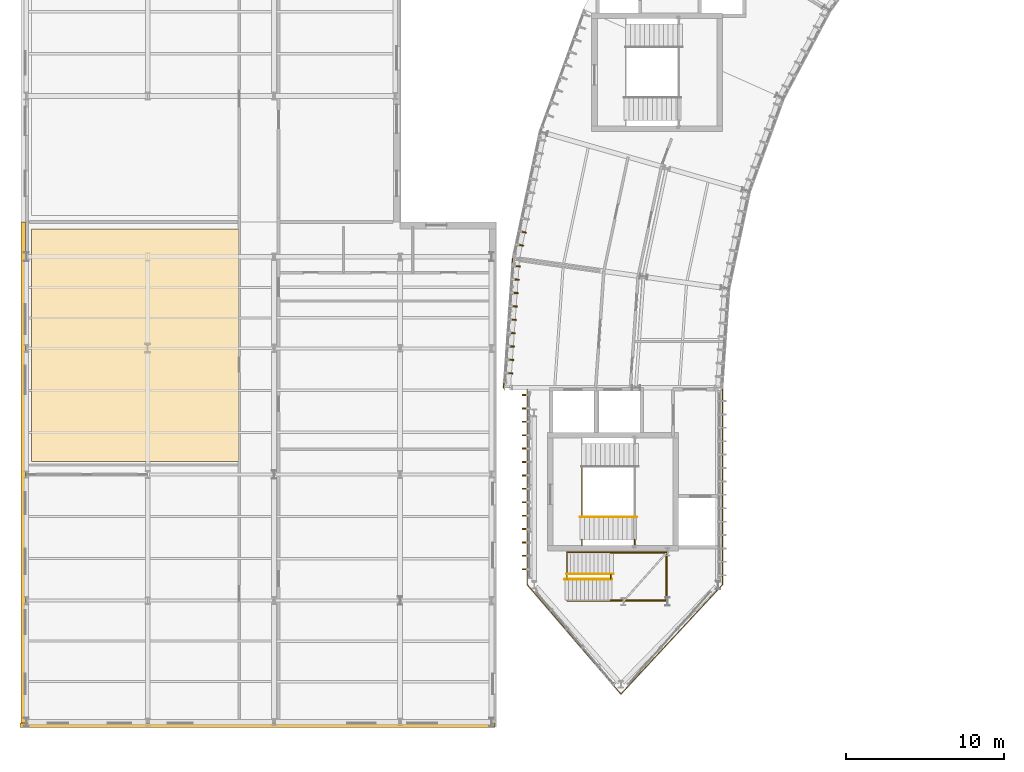
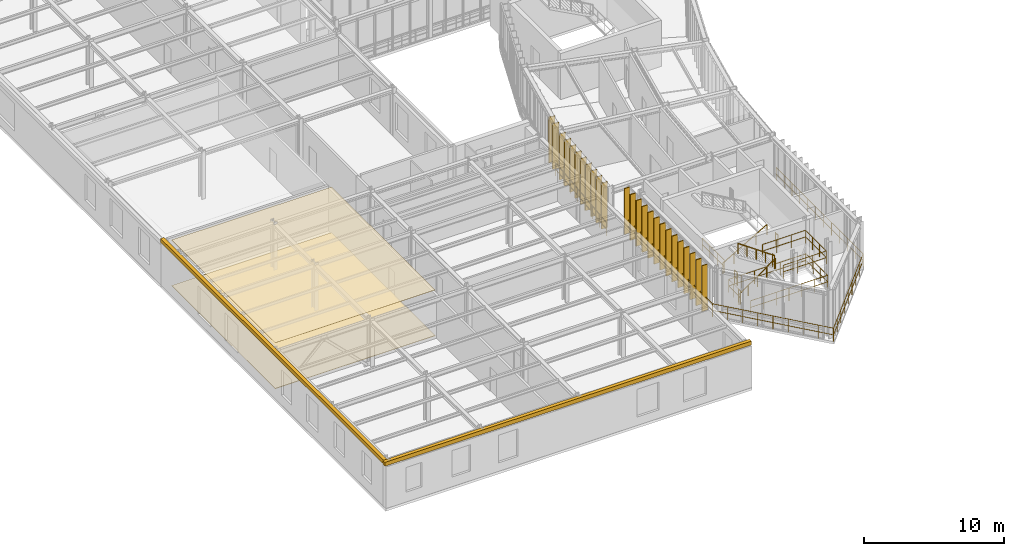
# One storey, part 49 of 57: 29 coverings, 13 railings.
"""IFC4 building model written with IfcOpenShell, lengths in metres."""

from ifc_helpers import new_model, si_unit, direction, frame, origin, origin_2d, place, context, subcontext, project, spatial, polyline, rectangle, circle, outline, extrude, material, layer, layer_set, type_object, element, save


model = new_model("IFC4")

# Units and contexts
model_context = context("Model", 3, precision=1e-05, world=origin(), true_north=direction((0.0, 1.0)))
body_context = subcontext(model_context, "Body", "Model", "MODEL_VIEW")
ifc_project = project(units=[si_unit("LENGTHUNIT", "METRE"), si_unit("AREAUNIT", "SQUARE_METRE"), si_unit("VOLUMEUNIT", "CUBIC_METRE"), si_unit("PLANEANGLEUNIT", "RADIAN"), si_unit("MASSUNIT", "GRAM", prefix="KILO"), si_unit("THERMODYNAMICTEMPERATUREUNIT", "KELVIN"), si_unit("POWERUNIT", "WATT")], contexts=[model_context])

# Site, building, storey
site_placement = place(None, origin())
site = spatial("IfcSite", under=ifc_project, at=site_placement, CompositionType="ELEMENT")
building_placement = place(site_placement, origin())
building = spatial("IfcBuilding", under=site, at=building_placement, Name="Solvatero Civic Police Headquarters", CompositionType="ELEMENT")
storey_placement = place(building_placement, frame((0.0, 0.0, 9.300048828125)))
storey = spatial("IfcBuildingStorey", under=building, at=storey_placement, Name="L02", CompositionType="ELEMENT", Elevation=9.300048828125)

# Coverings
ifc_material_1 = material(Name="Mineral-Fibre Acoustic Tile", Category="gypsum")
ifc_layer_1 = layer(ifc_material_1, 0.02490234375)
ifc_layer_set_1 = layer_set([ifc_layer_1], Name="Mineral-Fibre Acoustic Tile")
covering_type_1 = type_object("IfcCoveringType", Name="COV-CEIL-AC", PredefinedType="CEILING", material=ifc_layer_set_1)
covering_1_placement = place(storey_placement, frame((0.0, 0.0, 3.974853515625)))
element("IfcCovering", 1, at=covering_1_placement, inside=storey, type_object=covering_type_1, Name="Acoustic Ceiling Family and Domestic Protection Unit", PredefinedType="CEILING", context=body_context, shape_type="SweptSolid", body=[
    extrude(outline(polyline([(5.1201171875, 21.320068359375), (5.1201171875, 36.080078125), (18.280029296875, 36.080078125), (18.280029296875, 21.320068359375), (5.1201171875, 21.320068359375)])), origin(), (0.0, 0.0, 1.0), 0.025146484375),
])
ifc_material_2 = material(Name="Anodized Bronze Aluminium", Category="aluminium")
ifc_layer_2 = layer(ifc_material_2, 0.080078125)
ifc_layer_set_2 = layer_set([ifc_layer_2], Name="Anodized Bronze Aluminium")
covering_type_2 = type_object("IfcCoveringType", Name="COV-FIN-480", PredefinedType="CLADDING", material=ifc_layer_set_2)
for number, where, z_axis, x_axis, name in (
    (2, (36.266357421875, 35.881591796875, -0.02001953125), (0.0, 0.0, 1.0), (-0.207911690818, -0.978147600734, 0.0), "Vertical Brise-Soleil Fin 0514"),
    (3, (36.089599609375, 35.05029296875, -0.02001953125), (0.0, 0.0, 1.0), (-0.207911690818, -0.978147600734, 0.0), "Vertical Brise-Soleil Fin 0515"),
    (4, (35.869384765625, 33.708984375, -0.02001953125), (0.0, 0.0, 1.0), (-0.069756473744, -0.99756405026, 0.0), "Vertical Brise-Soleil Fin 0523"),
    (5, (35.810302734375, 32.861083984375, -0.02001953125), (0.0, 0.0, 1.0), (-0.069756473744, -0.99756405026, 0.0), "Vertical Brise-Soleil Fin 0524"),
    (6, (35.7509765625, 32.01318359375, -0.02001953125), (0.0, 0.0, 1.0), (-0.069756473744, -0.99756405026, 0.0), "Vertical Brise-Soleil Fin 0525"),
    (7, (35.691650390625, 31.165283203125, -0.02001953125), (0.0, 0.0, 1.0), (-0.069756473744, -0.99756405026, 0.0), "Vertical Brise-Soleil Fin 0526"),
    (8, (35.63232421875, 30.3173828125, -0.02001953125), (0.0, 0.0, 1.0), (-0.069756473744, -0.99756405026, 0.0), "Vertical Brise-Soleil Fin 0527"),
    (9, (35.572998046875, 29.469482421875, -0.02001953125), (0.0, 0.0, 1.0), (-0.069756473744, -0.99756405026, 0.0), "Vertical Brise-Soleil Fin 0528"),
    (10, (35.513916015625, 28.62158203125, -0.02001953125), (0.0, 0.0, 1.0), (-0.069756473744, -0.99756405026, 0.0), "Vertical Brise-Soleil Fin 0529"),
    (11, (35.45458984375, 27.7734375, -0.02001953125), (0.0, 0.0, 1.0), (-0.069756473744, -0.99756405026, 0.0), "Vertical Brise-Soleil Fin 0530"),
    (12, (35.395263671875, 26.925537109375, -0.02001953125), (0.0, 0.0, 1.0), (-0.069756473744, -0.99756405026, 0.0), "Vertical Brise-Soleil Fin 0531"),
    (13, (36.469970703125, 25.5400390625, -0.02001953125), (0.0, 0.0, 1.0), (0.0, -1.0, 0.0), "Vertical Brise-Soleil Fin 0539"),
    (14, (36.469970703125, 24.68994140625, -0.02001953125), (0.0, 0.0, 1.0), (0.0, -1.0, 0.0), "Vertical Brise-Soleil Fin 0540"),
    (15, (36.469970703125, 23.840087890625, -0.02001953125), (0.0, 0.0, 1.0), (0.0, -1.0, 0.0), "Vertical Brise-Soleil Fin 0541"),
    (16, (36.469970703125, 22.989990234375, -0.02001953125), (0.0, 0.0, 1.0), (0.0, -1.0, 0.0), "Vertical Brise-Soleil Fin 0542"),
    (17, (36.469970703125, 22.139892578125, -0.02001953125), (0.0, 0.0, 1.0), (0.0, -1.0, 0.0), "Vertical Brise-Soleil Fin 0543"),
    (18, (36.469970703125, 21.2900390625, -0.02001953125), (0.0, 0.0, 1.0), (0.0, -1.0, 0.0), "Vertical Brise-Soleil Fin 0544"),
    (19, (36.469970703125, 20.43994140625, -0.02001953125), (0.0, 0.0, 1.0), (0.0, -1.0, 0.0), "Vertical Brise-Soleil Fin 0545"),
    (20, (36.469970703125, 19.590087890625, -0.02001953125), (0.0, 0.0, 1.0), (0.0, -1.0, 0.0), "Vertical Brise-Soleil Fin 0546"),
    (21, (36.469970703125, 18.739990234375, -0.02001953125), (0.0, 0.0, 1.0), (0.0, -1.0, 0.0), "Vertical Brise-Soleil Fin 0547"),
    (22, (36.469970703125, 17.889892578125, -0.02001953125), (0.0, 0.0, 1.0), (0.0, -1.0, 0.0), "Vertical Brise-Soleil Fin 0548"),
    (23, (36.469970703125, 17.0400390625, -0.02001953125), (0.0, 0.0, 1.0), (0.0, -1.0, 0.0), "Vertical Brise-Soleil Fin 0549"),
    (24, (36.469970703125, 16.18994140625, -0.02001953125), (0.0, 0.0, 1.0), (0.0, -1.0, 0.0), "Vertical Brise-Soleil Fin 0550"),
    (25, (36.469970703125, 15.340087890625, -0.02001953125), (0.0, 0.0, 1.0), (0.0, -1.0, 0.0), "Vertical Brise-Soleil Fin 0551"),
    (26, (36.469970703125, 14.489990234375, -0.02001953125), (0.0, 0.0, 1.0), (0.0, -1.0, 0.0), "Vertical Brise-Soleil Fin 0552"),
):
    element("IfcCovering", number, at=place(storey_placement, frame(where, z_axis=z_axis, x_axis=x_axis)), inside=storey, type_object=covering_type_2, Name=name, PredefinedType="CLADDING", context=body_context, shape_type="SweptSolid", body=[
        extrude(rectangle(XDim=0.080078125, YDim=0.47998046875, at=origin_2d()), origin(), (0.0, 0.0, 1.0), 3.97998046875),
    ])
ifc_material_3 = material(Name="Venetian Terrazzo Stone", Category="masonry")
ifc_layer_3 = layer(ifc_material_3, 0.034912109375)
ifc_layer_set_3 = layer_set([ifc_layer_3], Name="Venetian Terrazzo Stone")
covering_type_3 = type_object("IfcCoveringType", Name="COV-FLR-TER", PredefinedType="FLOORING", material=ifc_layer_set_3)
covering_2_placement = place(storey_placement, origin())
element("IfcCovering", 27, at=covering_2_placement, inside=storey, type_object=covering_type_3, Name="Flooring Family and Domestic Protection Unit", PredefinedType="FLOORING", context=body_context, shape_type="SweptSolid", body=[
    extrude(outline(polyline([(5.1201171875, 21.320068359375), (5.1201171875, 36.080078125), (18.280029296875, 36.080078125), (18.280029296875, 21.320068359375), (5.1201171875, 21.320068359375)])), origin(), (0.0, 0.0, 1.0), 0.034912109375),
])
ifc_material_4 = material(Name="Cream Limestone Ashlar", Category="masonry")
ifc_layer_4 = layer(ifc_material_4, 0.10009765625)
ifc_layer_set_4 = layer_set([ifc_layer_4], Name="Cream Limestone Ashlar")
covering_type_4 = type_object("IfcCoveringType", Name="COV-TRIM-STONE", PredefinedType="CLADDING", material=ifc_layer_set_4)
covering_3_placement = place(storey_placement, frame((19.465087890625, 4.60009765625, 3.75), z_axis=(0.0, 0.0, 1.0), x_axis=(1.0, 0.0, 0.0)))
element("IfcCovering", 28, at=covering_3_placement, inside=storey, type_object=covering_type_4, Name="Classical Limestone Trim TRIM-V4-L02-S", PredefinedType="CLADDING", context=body_context, shape_type="SweptSolid", body=[
    extrude(rectangle(XDim=30.1298828125, YDim=0.280029296875, at=origin_2d()), origin(), (0.0, 0.0, 1.0), 0.340087890625),
])
covering_4_placement = place(storey_placement, frame((4.60009765625, 20.5, 3.75), z_axis=(0.0, 0.0, 1.0), x_axis=(1.0, 0.0, 0.0)))
element("IfcCovering", 29, at=covering_4_placement, inside=storey, type_object=covering_type_4, Name="Classical Limestone Trim TRIM-V4-L02-W", PredefinedType="CLADDING", context=body_context, shape_type="SweptSolid", body=[
    extrude(rectangle(XDim=0.280029296875, YDim=32.0, at=origin_2d()), origin(), (0.0, 0.0, 1.0), 0.340087890625),
])

# Railings
ifc_material_5 = material(Name="Anodized Bronze and Laminated Glass", Category="glass")
railing_type_1 = type_object("IfcRailingType", Name="RL-BAL-115", PredefinedType="BALUSTRADE", material=ifc_material_5)
railing_1_placement = place(storey_placement, frame((39.080078125, 12.47998046875, 0.0)))
element("IfcRailing", 30, at=railing_1_placement, inside=storey, type_object=railing_type_1, Name="Prow Stair Well Balustrade L02 SE", PredefinedType="BALUSTRADE", context=body_context, shape_type="SweptSolid", body=[
    extrude(circle(Radius=0.02392578125, at=origin_2d()), frame((0.0, 0.0, 1.1259765625), z_axis=(1.0, 0.0, 0.0), x_axis=(0.0, 1.0, 0.0)), (0.0, 0.0, 1.0), 6.33984375),
    extrude(circle(Radius=0.02392578125, at=origin_2d()), frame((0.0, 0.0, 0.55078125), z_axis=(1.0, 0.0, 0.0), x_axis=(0.0, 1.0, 0.0)), (0.0, 0.0, 1.0), 6.33984375),
    extrude(circle(Radius=0.02392578125, at=origin_2d()), frame((6.33984375, 0.0, 1.1259765625), z_axis=(0.0, 1.0, 0.0), x_axis=(-1.0, 0.0, 0.0)), (0.0, 0.0, 1.0), 3.090087890625),
    extrude(circle(Radius=0.02392578125, at=origin_2d()), frame((6.33984375, 0.0, 0.55078125), z_axis=(0.0, 1.0, 0.0), x_axis=(-1.0, 0.0, 0.0)), (0.0, 0.0, 1.0), 3.090087890625),
    extrude(circle(Radius=0.02099609375, at=origin_2d()), origin(), (0.0, 0.0, 1.0), 1.101806640625),
    extrude(circle(Radius=0.02099609375, at=origin_2d()), frame((1.056640625, 0.0, 0.0)), (0.0, 0.0, 1.0), 1.101806640625),
    extrude(circle(Radius=0.02099609375, at=origin_2d()), frame((2.11328125, 0.0, 0.0)), (0.0, 0.0, 1.0), 1.101806640625),
    extrude(circle(Radius=0.02099609375, at=origin_2d()), frame((3.169921875, 0.0, 0.0)), (0.0, 0.0, 1.0), 1.101806640625),
    extrude(circle(Radius=0.02099609375, at=origin_2d()), frame((4.2265625, 0.0, 0.0)), (0.0, 0.0, 1.0), 1.101806640625),
    extrude(circle(Radius=0.02099609375, at=origin_2d()), frame((5.283203125, 0.0, 0.0)), (0.0, 0.0, 1.0), 1.101806640625),
    extrude(circle(Radius=0.02099609375, at=origin_2d()), frame((6.33984375, 0.0, 0.0)), (0.0, 0.0, 1.0), 1.101806640625),
    extrude(circle(Radius=0.02099609375, at=origin_2d()), frame((6.33984375, 1.030029296875, 0.0)), (0.0, 0.0, 1.0), 1.101806640625),
    extrude(circle(Radius=0.02099609375, at=origin_2d()), frame((6.33984375, 2.06005859375, 0.0)), (0.0, 0.0, 1.0), 1.101806640625),
    extrude(circle(Radius=0.02099609375, at=origin_2d()), frame((6.33984375, 3.090087890625, 0.0)), (0.0, 0.0, 1.0), 1.101806640625),
])
railing_2_placement = place(storey_placement, frame((45.419921875, 15.570068359375, 0.0)))
element("IfcRailing", 31, at=railing_2_placement, inside=storey, type_object=railing_type_1, Name="Prow Stair Well Balustrade L02 NW", PredefinedType="BALUSTRADE", context=body_context, shape_type="SweptSolid", body=[
    extrude(circle(Radius=0.02392578125, at=origin_2d()), frame((0.0, 0.0, 1.1259765625), z_axis=(-1.0, 0.0, 0.0), x_axis=(0.0, -1.0, 0.0)), (0.0, 0.0, 1.0), 6.33984375),
    extrude(circle(Radius=0.02392578125, at=origin_2d()), frame((0.0, 0.0, 0.55078125), z_axis=(-1.0, 0.0, 0.0), x_axis=(0.0, -1.0, 0.0)), (0.0, 0.0, 1.0), 6.33984375),
    extrude(circle(Radius=0.02392578125, at=origin_2d()), frame((-6.33984375, 0.0, 1.1259765625), z_axis=(0.0, -1.0, 0.0), x_axis=(1.0, 0.0, 0.0)), (0.0, 0.0, 1.0), 1.41015625),
    extrude(circle(Radius=0.02392578125, at=origin_2d()), frame((-6.33984375, 0.0, 0.55078125), z_axis=(0.0, -1.0, 0.0), x_axis=(1.0, 0.0, 0.0)), (0.0, 0.0, 1.0), 1.41015625),
    extrude(circle(Radius=0.02099609375, at=origin_2d()), origin(), (0.0, 0.0, 1.0), 1.101806640625),
    extrude(circle(Radius=0.02099609375, at=origin_2d()), frame((-1.056640625, 0.0, 0.0)), (0.0, 0.0, 1.0), 1.101806640625),
    extrude(circle(Radius=0.02099609375, at=origin_2d()), frame((-2.11328125, 0.0, 0.0)), (0.0, 0.0, 1.0), 1.101806640625),
    extrude(circle(Radius=0.02099609375, at=origin_2d()), frame((-3.169921875, 0.0, 0.0)), (0.0, 0.0, 1.0), 1.101806640625),
    extrude(circle(Radius=0.02099609375, at=origin_2d()), frame((-4.2265625, 0.0, 0.0)), (0.0, 0.0, 1.0), 1.101806640625),
    extrude(circle(Radius=0.02099609375, at=origin_2d()), frame((-5.283203125, 0.0, 0.0)), (0.0, 0.0, 1.0), 1.101806640625),
    extrude(circle(Radius=0.02099609375, at=origin_2d()), frame((-6.33984375, 0.0, 0.0)), (0.0, 0.0, 1.0), 1.101806640625),
    extrude(circle(Radius=0.02099609375, at=origin_2d()), frame((-6.33984375, -0.705078125, 0.0)), (0.0, 0.0, 1.0), 1.101806640625),
    extrude(circle(Radius=0.02099609375, at=origin_2d()), frame((-6.33984375, -1.41015625, 0.0)), (0.0, 0.0, 1.0), 1.101806640625),
])
railing_3_placement = place(storey_placement, frame((39.080078125, 13.8798828125, 0.0)))
element("IfcRailing", 32, at=railing_3_placement, inside=storey, type_object=railing_type_1, Name="Prow Stair Well West Slot L02", PredefinedType="BALUSTRADE", context=body_context, shape_type="SweptSolid", body=[
    extrude(circle(Radius=0.02392578125, at=origin_2d()), frame((0.0, 0.0, 1.1259765625), z_axis=(0.0, 1.0, 0.0), x_axis=(-1.0, 0.0, 0.0)), (0.0, 0.0, 1.0), 0.280029296875),
    extrude(circle(Radius=0.02392578125, at=origin_2d()), frame((0.0, 0.0, 0.55078125), z_axis=(0.0, 1.0, 0.0), x_axis=(-1.0, 0.0, 0.0)), (0.0, 0.0, 1.0), 0.280029296875),
    extrude(circle(Radius=0.02099609375, at=origin_2d()), origin(), (0.0, 0.0, 1.0), 1.101806640625),
    extrude(circle(Radius=0.02099609375, at=origin_2d()), frame((0.0, 0.280029296875, 0.0)), (0.0, 0.0, 1.0), 1.101806640625),
])
railing_4_placement = place(storey_placement, frame((41.820068359375, 12.5400390625, 2.099853515625)))
element("IfcRailing", 33, at=railing_4_placement, inside=storey, type_object=railing_type_1, Name="ST-PRW L02 Half-Landing Balustrade", PredefinedType="BALUSTRADE", context=body_context, shape_type="SweptSolid", body=[
    extrude(circle(Radius=0.02392578125, at=origin_2d()), frame((0.0, 0.0, 1.1259765625), z_axis=(1.0, 0.0, 0.0), x_axis=(0.0, 1.0, 0.0)), (0.0, 0.0, 1.0), 3.5400390625),
    extrude(circle(Radius=0.02392578125, at=origin_2d()), frame((0.0, 0.0, 0.55078125), z_axis=(1.0, 0.0, 0.0), x_axis=(0.0, 1.0, 0.0)), (0.0, 0.0, 1.0), 3.5400390625),
    extrude(circle(Radius=0.02392578125, at=origin_2d()), frame((3.5400390625, 0.0, 1.1259765625), z_axis=(0.0, 1.0, 0.0), x_axis=(-1.0, 0.0, 0.0)), (0.0, 0.0, 1.0), 2.969970703125),
    extrude(circle(Radius=0.02392578125, at=origin_2d()), frame((3.5400390625, 0.0, 0.55078125), z_axis=(0.0, 1.0, 0.0), x_axis=(-1.0, 0.0, 0.0)), (0.0, 0.0, 1.0), 2.969970703125),
    extrude(circle(Radius=0.02392578125, at=origin_2d()), frame((3.5400390625, 2.969970703125, 1.1259765625), z_axis=(-1.0, 0.0, 0.0), x_axis=(0.0, -1.0, 0.0)), (0.0, 0.0, 1.0), 3.5400390625),
    extrude(circle(Radius=0.02392578125, at=origin_2d()), frame((3.5400390625, 2.969970703125, 0.55078125), z_axis=(-1.0, 0.0, 0.0), x_axis=(0.0, -1.0, 0.0)), (0.0, 0.0, 1.0), 3.5400390625),
    extrude(circle(Radius=0.02099609375, at=origin_2d()), origin(), (0.0, 0.0, 1.0), 1.101806640625),
    extrude(circle(Radius=0.02099609375, at=origin_2d()), frame((1.179931640625, 0.0, 0.0)), (0.0, 0.0, 1.0), 1.101806640625),
    extrude(circle(Radius=0.02099609375, at=origin_2d()), frame((2.360107421875, 0.0, 0.0)), (0.0, 0.0, 1.0), 1.101806640625),
    extrude(circle(Radius=0.02099609375, at=origin_2d()), frame((3.5400390625, 0.0, 0.0)), (0.0, 0.0, 1.0), 1.101806640625),
    extrude(circle(Radius=0.02099609375, at=origin_2d()), frame((3.5400390625, 0.989990234375, 0.0)), (0.0, 0.0, 1.0), 1.101806640625),
    extrude(circle(Radius=0.02099609375, at=origin_2d()), frame((3.5400390625, 1.97998046875, 0.0)), (0.0, 0.0, 1.0), 1.101806640625),
    extrude(circle(Radius=0.02099609375, at=origin_2d()), frame((3.5400390625, 2.969970703125, 0.0)), (0.0, 0.0, 1.0), 1.101806640625),
    extrude(circle(Radius=0.02099609375, at=origin_2d()), frame((2.360107421875, 2.969970703125, 0.0)), (0.0, 0.0, 1.0), 1.101806640625),
    extrude(circle(Radius=0.02099609375, at=origin_2d()), frame((1.179931640625, 2.969970703125, 0.0)), (0.0, 0.0, 1.0), 1.101806640625),
    extrude(circle(Radius=0.02099609375, at=origin_2d()), frame((0.0, 2.969970703125, 0.0)), (0.0, 0.0, 1.0), 1.101806640625),
])
railing_5_placement = place(storey_placement, frame((36.56005859375, 25.89990234375, 0.0)))
element("IfcRailing", 34, at=railing_5_placement, inside=storey, type_object=railing_type_1, Name="Glazed Facade Sill Balustrade RL-L02-PROW-PERIM", PredefinedType="BALUSTRADE", context=body_context, shape_type="SweptSolid", body=[
    extrude(circle(Radius=0.02392578125, at=origin_2d()), frame((0.0, 0.0, 1.1259765625), z_axis=(0.0, -1.0, 0.0), x_axis=(1.0, 0.0, 0.0)), (0.0, 0.0, 1.0), 12.3798828125),
    extrude(circle(Radius=0.02392578125, at=origin_2d()), frame((0.0, 0.0, 0.55078125), z_axis=(0.0, -1.0, 0.0), x_axis=(1.0, 0.0, 0.0)), (0.0, 0.0, 1.0), 12.3798828125),
    extrude(circle(Radius=0.02392578125, at=origin_2d()), frame((0.0, -12.3798828125, 1.1259765625), z_axis=(0.65024976551, -0.759720502852, 0.0), x_axis=(0.759720502852, 0.65024976551, 0.0)), (0.0, 0.0, 1.0), 9.134765625),
    extrude(circle(Radius=0.02392578125, at=origin_2d()), frame((0.0, -12.3798828125, 0.55078125), z_axis=(0.65024976551, -0.759720502852, 0.0), x_axis=(0.759720502852, 0.65024976551, 0.0)), (0.0, 0.0, 1.0), 9.134765625),
    extrude(circle(Radius=0.02392578125, at=origin_2d()), frame((5.93994140625, -19.31982421875, 1.1259765625), z_axis=(0.680207746239, 0.733019387163, 0.0), x_axis=(-0.733019387163, 0.680207746239, 0.0)), (0.0, 0.0, 1.0), 9.467529296875),
    extrude(circle(Radius=0.02392578125, at=origin_2d()), frame((5.93994140625, -19.31982421875, 0.55078125), z_axis=(0.680207746239, 0.733019387163, 0.0), x_axis=(-0.733019387163, 0.680207746239, 0.0)), (0.0, 0.0, 1.0), 9.467529296875),
    extrude(circle(Radius=0.02392578125, at=origin_2d()), frame((12.3798828125, -12.3798828125, 1.1259765625), z_axis=(0.0, 1.0, 0.0), x_axis=(-1.0, 0.0, 0.0)), (0.0, 0.0, 1.0), 12.3798828125),
    extrude(circle(Radius=0.02392578125, at=origin_2d()), frame((12.3798828125, -12.3798828125, 0.55078125), z_axis=(0.0, 1.0, 0.0), x_axis=(-1.0, 0.0, 0.0)), (0.0, 0.0, 1.0), 12.3798828125),
    extrude(circle(Radius=0.02099609375, at=origin_2d()), origin(), (0.0, 0.0, 1.0), 1.101806640625),
    extrude(circle(Radius=0.02099609375, at=origin_2d()), frame((0.0, -1.12548828125, 0.0)), (0.0, 0.0, 1.0), 1.101806640625),
    extrude(circle(Radius=0.02099609375, at=origin_2d()), frame((0.0, -2.2509765625, 0.0)), (0.0, 0.0, 1.0), 1.101806640625),
    extrude(circle(Radius=0.02099609375, at=origin_2d()), frame((0.0, -3.376220703125, 0.0)), (0.0, 0.0, 1.0), 1.101806640625),
    extrude(circle(Radius=0.02099609375, at=origin_2d()), frame((0.0, -4.501708984375, 0.0)), (0.0, 0.0, 1.0), 1.101806640625),
    extrude(circle(Radius=0.02099609375, at=origin_2d()), frame((0.0, -5.627197265625, 0.0)), (0.0, 0.0, 1.0), 1.101806640625),
    extrude(circle(Radius=0.02099609375, at=origin_2d()), frame((0.0, -6.752685546875, 0.0)), (0.0, 0.0, 1.0), 1.101806640625),
    extrude(circle(Radius=0.02099609375, at=origin_2d()), frame((0.0, -7.878173828125, 0.0)), (0.0, 0.0, 1.0), 1.101806640625),
    extrude(circle(Radius=0.02099609375, at=origin_2d()), frame((0.0, -9.003662109375, 0.0)), (0.0, 0.0, 1.0), 1.101806640625),
    extrude(circle(Radius=0.02099609375, at=origin_2d()), frame((0.0, -10.12890625, 0.0)), (0.0, 0.0, 1.0), 1.101806640625),
    extrude(circle(Radius=0.02099609375, at=origin_2d()), frame((0.0, -11.25439453125, 0.0)), (0.0, 0.0, 1.0), 1.101806640625),
    extrude(circle(Radius=0.02099609375, at=origin_2d()), frame((0.0, -12.3798828125, 0.0)), (0.0, 0.0, 1.0), 1.101806640625),
    extrude(circle(Radius=0.02099609375, at=origin_2d()), frame((0.742431640625, -13.247314453125, 0.0)), (0.0, 0.0, 1.0), 1.101806640625),
    extrude(circle(Radius=0.02099609375, at=origin_2d()), frame((1.48486328125, -14.11474609375, 0.0)), (0.0, 0.0, 1.0), 1.101806640625),
    extrude(circle(Radius=0.02099609375, at=origin_2d()), frame((2.2275390625, -14.982421875, 0.0)), (0.0, 0.0, 1.0), 1.101806640625),
    extrude(circle(Radius=0.02099609375, at=origin_2d()), frame((2.969970703125, -15.849853515625, 0.0)), (0.0, 0.0, 1.0), 1.101806640625),
    extrude(circle(Radius=0.02099609375, at=origin_2d()), frame((3.71240234375, -16.71728515625, 0.0)), (0.0, 0.0, 1.0), 1.101806640625),
    extrude(circle(Radius=0.02099609375, at=origin_2d()), frame((4.455078125, -17.5849609375, 0.0)), (0.0, 0.0, 1.0), 1.101806640625),
    extrude(circle(Radius=0.02099609375, at=origin_2d()), frame((5.197509765625, -18.452392578125, 0.0)), (0.0, 0.0, 1.0), 1.101806640625),
    extrude(circle(Radius=0.02099609375, at=origin_2d()), frame((5.93994140625, -19.31982421875, 0.0)), (0.0, 0.0, 1.0), 1.101806640625),
    extrude(circle(Radius=0.02099609375, at=origin_2d()), frame((6.744873046875, -18.452392578125, 0.0)), (0.0, 0.0, 1.0), 1.101806640625),
    extrude(circle(Radius=0.02099609375, at=origin_2d()), frame((7.5498046875, -17.5849609375, 0.0)), (0.0, 0.0, 1.0), 1.101806640625),
    extrude(circle(Radius=0.02099609375, at=origin_2d()), frame((8.35498046875, -16.71728515625, 0.0)), (0.0, 0.0, 1.0), 1.101806640625),
    extrude(circle(Radius=0.02099609375, at=origin_2d()), frame((9.159912109375, -15.849853515625, 0.0)), (0.0, 0.0, 1.0), 1.101806640625),
    extrude(circle(Radius=0.02099609375, at=origin_2d()), frame((9.96484375, -14.982421875, 0.0)), (0.0, 0.0, 1.0), 1.101806640625),
    extrude(circle(Radius=0.02099609375, at=origin_2d()), frame((10.77001953125, -14.11474609375, 0.0)), (0.0, 0.0, 1.0), 1.101806640625),
    extrude(circle(Radius=0.02099609375, at=origin_2d()), frame((11.574951171875, -13.247314453125, 0.0)), (0.0, 0.0, 1.0), 1.101806640625),
    extrude(circle(Radius=0.02099609375, at=origin_2d()), frame((12.3798828125, -12.3798828125, 0.0)), (0.0, 0.0, 1.0), 1.101806640625),
    extrude(circle(Radius=0.02099609375, at=origin_2d()), frame((12.3798828125, -11.25439453125, 0.0)), (0.0, 0.0, 1.0), 1.101806640625),
    extrude(circle(Radius=0.02099609375, at=origin_2d()), frame((12.3798828125, -10.12890625, 0.0)), (0.0, 0.0, 1.0), 1.101806640625),
    extrude(circle(Radius=0.02099609375, at=origin_2d()), frame((12.3798828125, -9.003662109375, 0.0)), (0.0, 0.0, 1.0), 1.101806640625),
    extrude(circle(Radius=0.02099609375, at=origin_2d()), frame((12.3798828125, -7.878173828125, 0.0)), (0.0, 0.0, 1.0), 1.101806640625),
    extrude(circle(Radius=0.02099609375, at=origin_2d()), frame((12.3798828125, -6.752685546875, 0.0)), (0.0, 0.0, 1.0), 1.101806640625),
    extrude(circle(Radius=0.02099609375, at=origin_2d()), frame((12.3798828125, -5.627197265625, 0.0)), (0.0, 0.0, 1.0), 1.101806640625),
    extrude(circle(Radius=0.02099609375, at=origin_2d()), frame((12.3798828125, -4.501708984375, 0.0)), (0.0, 0.0, 1.0), 1.101806640625),
    extrude(circle(Radius=0.02099609375, at=origin_2d()), frame((12.3798828125, -3.376220703125, 0.0)), (0.0, 0.0, 1.0), 1.101806640625),
    extrude(circle(Radius=0.02099609375, at=origin_2d()), frame((12.3798828125, -2.2509765625, 0.0)), (0.0, 0.0, 1.0), 1.101806640625),
    extrude(circle(Radius=0.02099609375, at=origin_2d()), frame((12.3798828125, -1.12548828125, 0.0)), (0.0, 0.0, 1.0), 1.101806640625),
    extrude(circle(Radius=0.02099609375, at=origin_2d()), frame((12.3798828125, 0.0, 0.0)), (0.0, 0.0, 1.0), 1.101806640625),
])
railing_6_placement = place(storey_placement, frame((35.633544921875, 34.202880859375, 0.0)))
element("IfcRailing", 35, at=railing_6_placement, inside=storey, type_object=railing_type_1, Name="Glazed Facade Sill Balustrade RL-L02-ARCOUT-B12", PredefinedType="BALUSTRADE", context=body_context, shape_type="SweptSolid", body=[
    extrude(circle(Radius=0.02392578125, at=origin_2d()), frame((0.0, 0.0, 1.1259765625), z_axis=(-0.069742558988, -0.997565023177, 0.0), x_axis=(0.997565023177, -0.069742558988, 0.0)), (0.0, 0.0, 1.0), 8.222900390625),
    extrude(circle(Radius=0.02392578125, at=origin_2d()), frame((0.0, 0.0, 0.55078125), z_axis=(-0.069742558988, -0.997565023177, 0.0), x_axis=(0.997565023177, -0.069742558988, 0.0)), (0.0, 0.0, 1.0), 8.222900390625),
    extrude(circle(Radius=0.02099609375, at=origin_2d()), origin(), (0.0, 0.0, 1.0), 1.101806640625),
    extrude(circle(Radius=0.02099609375, at=origin_2d()), frame((-0.08203125, -1.171875, 0.0)), (0.0, 0.0, 1.0), 1.101806640625),
    extrude(circle(Radius=0.02099609375, at=origin_2d()), frame((-0.163818359375, -2.34375, 0.0)), (0.0, 0.0, 1.0), 1.101806640625),
    extrude(circle(Radius=0.02099609375, at=origin_2d()), frame((-0.245849609375, -3.515625, 0.0)), (0.0, 0.0, 1.0), 1.101806640625),
    extrude(circle(Radius=0.02099609375, at=origin_2d()), frame((-0.32763671875, -4.687255859375, 0.0)), (0.0, 0.0, 1.0), 1.101806640625),
    extrude(circle(Radius=0.02099609375, at=origin_2d()), frame((-0.40966796875, -5.859130859375, 0.0)), (0.0, 0.0, 1.0), 1.101806640625),
    extrude(circle(Radius=0.02099609375, at=origin_2d()), frame((-0.491455078125, -7.031005859375, 0.0)), (0.0, 0.0, 1.0), 1.101806640625),
    extrude(circle(Radius=0.02099609375, at=origin_2d()), frame((-0.573486328125, -8.202880859375, 0.0)), (0.0, 0.0, 1.0), 1.101806640625),
])
ifc_material_6 = material(Name="Painted Galvanized Steel", Category="steel")
railing_type_2 = type_object("IfcRailingType", Name="RL-GRD-110", PredefinedType="GUARDRAIL", material=ifc_material_6)
railing_7_placement = place(storey_placement, frame((40.030029296875, 17.830078125, 0.0)))
element("IfcRailing", 36, at=railing_7_placement, inside=storey, type_object=railing_type_2, Name="ST-C1 L02 Floor Well Guardrail", PredefinedType="GUARDRAIL", context=body_context, shape_type="SweptSolid", body=[
    extrude(circle(Radius=0.02392578125, at=origin_2d()), frame((0.0, 0.0, 1.09619140625), z_axis=(0.0, 1.0, 0.0), x_axis=(-1.0, 0.0, 0.0)), (0.0, 0.0, 1.0), 3.139892578125),
    extrude(circle(Radius=0.02392578125, at=origin_2d()), frame((0.0, 0.0, 0.5361328125), z_axis=(0.0, 1.0, 0.0), x_axis=(-1.0, 0.0, 0.0)), (0.0, 0.0, 1.0), 3.139892578125),
    extrude(circle(Radius=0.02099609375, at=origin_2d()), origin(), (0.0, 0.0, 1.0), 1.072021484375),
    extrude(circle(Radius=0.02099609375, at=origin_2d()), frame((0.0, 1.046630859375, 0.0)), (0.0, 0.0, 1.0), 1.072021484375),
    extrude(circle(Radius=0.02099609375, at=origin_2d()), frame((0.0, 2.09326171875, 0.0)), (0.0, 0.0, 1.0), 1.072021484375),
    extrude(circle(Radius=0.02099609375, at=origin_2d()), frame((0.0, 3.139892578125, 0.0)), (0.0, 0.0, 1.0), 1.072021484375),
])
for number, where, name in (
    (37, (40.030029296875, 16.010009765625, 0.0), "ST-C1 L02 Floor Well South Slot Guardrail"),
    (38, (43.3701171875, 16.010009765625, 2.099853515625), "ST-C1 L02 Half-Landing South Slot Guardrail"),
):
    element("IfcRailing", number, at=place(storey_placement, frame(where)), inside=storey, type_object=railing_type_2, Name=name, PredefinedType="GUARDRAIL", context=body_context, shape_type="SweptSolid", body=[
        extrude(circle(Radius=0.02392578125, at=origin_2d()), frame((0.0, 0.0, 1.09619140625), z_axis=(0.0, 1.0, 0.0), x_axis=(-1.0, 0.0, 0.0)), (0.0, 0.0, 1.0), 0.360107421875),
        extrude(circle(Radius=0.02392578125, at=origin_2d()), frame((0.0, 0.0, 0.5361328125), z_axis=(0.0, 1.0, 0.0), x_axis=(-1.0, 0.0, 0.0)), (0.0, 0.0, 1.0), 0.360107421875),
        extrude(circle(Radius=0.02099609375, at=origin_2d()), origin(), (0.0, 0.0, 1.0), 1.072021484375),
        extrude(circle(Radius=0.02099609375, at=origin_2d()), frame((0.0, 0.360107421875, 0.0)), (0.0, 0.0, 1.0), 1.072021484375),
    ])
railing_8_placement = place(storey_placement, frame((41.85009765625, 13.8798828125, 2.099853515625)))
element("IfcRailing", 39, at=railing_8_placement, inside=storey, type_object=railing_type_2, Name="ST-PRW L02 Half-Landing Slot Guardrail", PredefinedType="GUARDRAIL", context=body_context, shape_type="SweptSolid", body=[
    extrude(circle(Radius=0.02392578125, at=origin_2d()), frame((0.0, 0.0, 1.09619140625), z_axis=(0.0, 1.0, 0.0), x_axis=(-1.0, 0.0, 0.0)), (0.0, 0.0, 1.0), 0.280029296875),
    extrude(circle(Radius=0.02392578125, at=origin_2d()), frame((0.0, 0.0, 0.5361328125), z_axis=(0.0, 1.0, 0.0), x_axis=(-1.0, 0.0, 0.0)), (0.0, 0.0, 1.0), 0.280029296875),
    extrude(circle(Radius=0.02099609375, at=origin_2d()), origin(), (0.0, 0.0, 1.0), 1.072021484375),
    extrude(circle(Radius=0.02099609375, at=origin_2d()), frame((0.0, 0.280029296875, 0.0)), (0.0, 0.0, 1.0), 1.072021484375),
])
ifc_material_7 = material(Name="Brushed Stainless Steel", Category="steel")
railing_type_3 = type_object("IfcRailingType", Name="RL-HND-092", PredefinedType="HANDRAIL", material=ifc_material_7)
railing_9_placement = place(storey_placement, frame((39.89990234375, 17.800048828125, 0.0)))
element("IfcRailing", 40, at=railing_9_placement, inside=storey, type_object=railing_type_3, Name="ST-C1 L02 Flight 1 Handrail", PredefinedType="HANDRAIL", context=body_context, shape_type="SweptSolid", body=[
    extrude(circle(Radius=0.02392578125, at=origin_2d()), frame((0.0, 0.0, 0.89599609375), z_axis=(0.863800146258, 0.0, 0.503834603144), x_axis=(0.0, 1.0, 0.0)), (0.0, 0.0, 1.0), 4.167724609375),
    extrude(circle(Radius=0.02099609375, at=origin_2d()), origin(), (0.0, 0.0, 1.0), 0.871826171875),
    extrude(circle(Radius=0.02099609375, at=origin_2d()), frame((0.89990234375, 0.0, 0.52490234375)), (0.0, 0.0, 1.0), 0.871826171875),
    extrude(circle(Radius=0.02099609375, at=origin_2d()), frame((1.800048828125, 0.0, 1.0498046875)), (0.0, 0.0, 1.0), 0.871826171875),
    extrude(circle(Radius=0.02099609375, at=origin_2d()), frame((2.7001953125, 0.0, 1.574951171875)), (0.0, 0.0, 1.0), 0.871826171875),
    extrude(circle(Radius=0.02099609375, at=origin_2d()), frame((3.60009765625, 0.0, 2.099853515625)), (0.0, 0.0, 1.0), 0.871826171875),
])
railing_10_placement = place(storey_placement, frame((38.93994140625, 13.85009765625, 0.0)))
element("IfcRailing", 41, at=railing_10_placement, inside=storey, type_object=railing_type_3, Name="ST-PRW L02 Flight 1 Handrail", PredefinedType="HANDRAIL", context=body_context, shape_type="SweptSolid", body=[
    extrude(circle(Radius=0.02392578125, at=origin_2d()), frame((0.0, 0.0, 0.89599609375), z_axis=(0.819250713189, 0.0, 0.573435496756), x_axis=(0.0, 1.0, 0.0)), (0.0, 0.0, 1.0), 3.661865234375),
    extrude(circle(Radius=0.02099609375, at=origin_2d()), origin(), (0.0, 0.0, 1.0), 0.871826171875),
    extrude(circle(Radius=0.02099609375, at=origin_2d()), frame((0.75, 0.0, 0.52490234375)), (0.0, 0.0, 1.0), 0.871826171875),
    extrude(circle(Radius=0.02099609375, at=origin_2d()), frame((1.5, 0.0, 1.0498046875)), (0.0, 0.0, 1.0), 0.871826171875),
    extrude(circle(Radius=0.02099609375, at=origin_2d()), frame((2.25, 0.0, 1.574951171875)), (0.0, 0.0, 1.0), 0.871826171875),
    extrude(circle(Radius=0.02099609375, at=origin_2d()), frame((3.0, 0.0, 2.099853515625)), (0.0, 0.0, 1.0), 0.871826171875),
])
railing_11_placement = place(storey_placement, frame((42.0400390625, 14.18994140625, 2.099853515625)))
element("IfcRailing", 42, at=railing_11_placement, inside=storey, type_object=railing_type_3, Name="ST-PRW L02 Flight 2 Handrail", PredefinedType="HANDRAIL", context=body_context, shape_type="SweptSolid", body=[
    extrude(circle(Radius=0.02392578125, at=origin_2d()), frame((0.0, 0.0, 0.89599609375), z_axis=(-0.819219392063, 0.0, 0.573480241742), x_axis=(0.0, -1.0, 0.0)), (0.0, 0.0, 1.0), 3.662109375),
    extrude(circle(Radius=0.02099609375, at=origin_2d()), origin(), (0.0, 0.0, 1.0), 0.871826171875),
    extrude(circle(Radius=0.02099609375, at=origin_2d()), frame((-0.75, 0.0, 0.52490234375)), (0.0, 0.0, 1.0), 0.871826171875),
    extrude(circle(Radius=0.02099609375, at=origin_2d()), frame((-1.5, 0.0, 1.050048828125)), (0.0, 0.0, 1.0), 0.871826171875),
    extrude(circle(Radius=0.02099609375, at=origin_2d()), frame((-2.25, 0.0, 1.5751953125)), (0.0, 0.0, 1.0), 0.871826171875),
    extrude(circle(Radius=0.02099609375, at=origin_2d()), frame((-3.0, 0.0, 2.10009765625)), (0.0, 0.0, 1.0), 0.871826171875),
])

save(model, "model.ifc")
